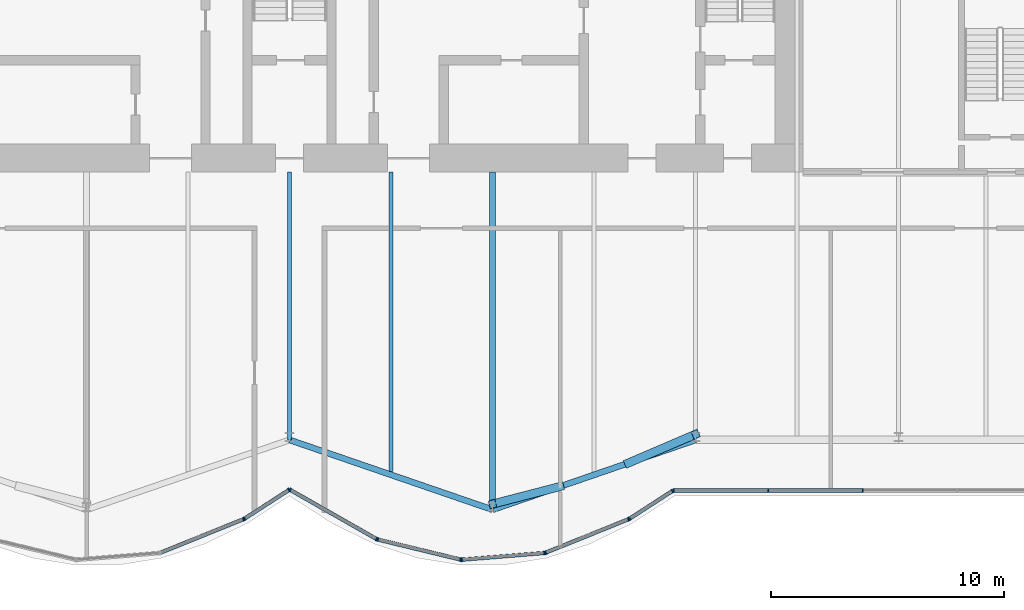
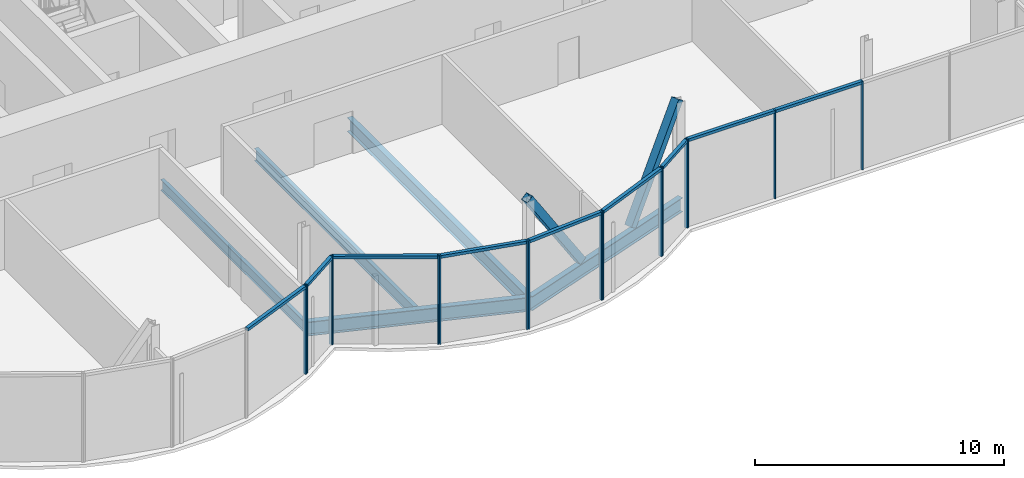
# One storey, part 8 of 18: 27 members, 5 beams, 3 elements without a shape of their own.
"""IFC4 building model written with IfcOpenShell, lengths in metres."""

from ifc_helpers import new_model, si_unit, direction, frame, origin, origin_2d, place, context, subcontext, project, spatial, rectangle, hollow_rectangle, i_section, extrude, material, material_profile, profile_set, type_object, element, aggregate, save


model = new_model("IFC4")

# Units and contexts
model_context = context("Model", 3, precision=1e-05, world=origin(), true_north=direction((0.0, 1.0)))
body_context = subcontext(model_context, "Body", "Model", "MODEL_VIEW")
ifc_project = project(units=[si_unit("LENGTHUNIT", "METRE"), si_unit("AREAUNIT", "SQUARE_METRE"), si_unit("VOLUMEUNIT", "CUBIC_METRE"), si_unit("PLANEANGLEUNIT", "RADIAN"), si_unit("MASSUNIT", "GRAM", prefix="KILO")], contexts=[model_context])

# Site, building, storey
site_placement = place(None, origin())
site = spatial("IfcSite", under=ifc_project, at=site_placement, CompositionType="ELEMENT")
building_placement = place(site_placement, origin())
building = spatial("IfcBuilding", under=site, at=building_placement, Name="Bicima Exchange Tower", CompositionType="ELEMENT")
storey_placement = place(building_placement, frame((0.0, 0.0, 302.0)))
storey = spatial("IfcBuildingStorey", under=building, at=storey_placement, Name="L68", CompositionType="ELEMENT", Elevation=302.0)

# Beams
ifc_material_1 = material(Name="Steel ASTM A992 Gr 50", Category="steel")
ifc_material_profile_1 = material_profile(ifc_material_1, i_section(OverallWidth=0.165771484375, OverallDepth=0.5283203125, WebThickness=0.009765625, FlangeThickness=0.013671875, at=origin_2d()))
ifc_profile_set_1 = profile_set([ifc_material_profile_1], Name="Steel ASTM A992 Gr 50")
beam_type_1 = type_object("IfcBeamType", Name="Floor beam W21x50", PredefinedType="JOIST", material=ifc_profile_set_1)
beam_1_placement = place(storey_placement, frame((0.0, -13.0, -0.414306640625), z_axis=(0.0, -1.0, 0.0), x_axis=(1.0, 0.0, 0.0)))
element("IfcBeam", 1, at=beam_1_placement, inside=storey, type_object=beam_type_1, Name="Floor beam", PredefinedType="JOIST", context=body_context, shape_type="SweptSolid", body=[
    extrude(i_section(OverallWidth=0.165771484375, OverallDepth=0.5283203125, WebThickness=0.009765625, FlangeThickness=0.013671875, at=origin_2d()), origin(), (0.0, 0.0, 1.0), 11.471923828125),
])
ifc_material_profile_2 = material_profile(ifc_material_1, i_section(OverallWidth=0.177978515625, OverallDepth=0.599365234375, WebThickness=0.010009765625, FlangeThickness=0.012939453125, at=origin_2d()))
ifc_profile_set_2 = profile_set([ifc_material_profile_2], Name="Steel ASTM A992 Gr 50")
beam_type_2 = type_object("IfcBeamType", Name="Floor beam W24x55", PredefinedType="JOIST", material=ifc_profile_set_2)
beam_2_placement = place(storey_placement, frame((4.35009765625, -13.0, -0.44970703125), z_axis=(0.0, -1.0, 0.0), x_axis=(1.0, 0.0, 0.0)))
element("IfcBeam", 2, at=beam_2_placement, inside=storey, type_object=beam_type_2, Name="Floor beam", PredefinedType="JOIST", context=body_context, shape_type="SweptSolid", body=[
    extrude(i_section(OverallWidth=0.177978515625, OverallDepth=0.599365234375, WebThickness=0.010009765625, FlangeThickness=0.012939453125, at=origin_2d()), origin(), (0.0, 0.0, 1.0), 12.831787109375),
])
ifc_material_profile_3 = material_profile(ifc_material_1, i_section(OverallWidth=0.25390625, OverallDepth=0.67822265625, WebThickness=0.01171875, FlangeThickness=0.016357421875, at=origin_2d()))
ifc_profile_set_3 = profile_set([ifc_material_profile_3], Name="Steel ASTM A992 Gr 50")
beam_type_3 = type_object("IfcBeamType", Name="Floor beam W27x84", PredefinedType="JOIST", material=ifc_profile_set_3)
beam_3_placement = place(storey_placement, frame((8.699951171875, -13.0, -0.489013671875), z_axis=(0.0, -1.0, 0.0), x_axis=(1.0, 0.0, 0.0)))
element("IfcBeam", 3, at=beam_3_placement, inside=storey, type_object=beam_type_3, Name="Floor beam", PredefinedType="JOIST", context=body_context, shape_type="SweptSolid", body=[
    extrude(i_section(OverallWidth=0.25390625, OverallDepth=0.67822265625, WebThickness=0.01171875, FlangeThickness=0.016357421875, at=origin_2d()), origin(), (0.0, 0.0, 1.0), 14.327392578125),
])
ifc_material_profile_4 = material_profile(ifc_material_1, i_section(OverallWidth=0.256591796875, OverallDepth=0.693359375, WebThickness=0.014404296875, FlangeThickness=0.023681640625, at=origin_2d()))
ifc_profile_set_4 = profile_set([ifc_material_profile_4], Name="Steel ASTM A992 Gr 50")
beam_type_4 = type_object("IfcBeamType", Name="Front girder W27x114", PredefinedType="BEAM", material=ifc_profile_set_4)
for number, where, z_axis, x_axis, name in (
    (4, (0.0, -24.471923828125, -0.49658203125), (0.945666456746, -0.325138359143, 0.0), (0.325138359143, 0.945666456746, 0.0), "Front girder"),
    (5, (8.699951171875, -27.463134765625, -0.49658203125), (0.945666456746, 0.325138359143, 0.0), (-0.325138359143, 0.945666456746, 0.0), "Front girder"),
):
    element("IfcBeam", number, at=place(storey_placement, frame(where, z_axis=z_axis, x_axis=x_axis)), inside=storey, type_object=beam_type_4, Name=name, PredefinedType="BEAM", context=body_context, shape_type="SweptSolid", body=[
        extrude(i_section(OverallWidth=0.256591796875, OverallDepth=0.693359375, WebThickness=0.014404296875, FlangeThickness=0.023681640625, at=origin_2d()), origin(), (0.0, 0.0, 1.0), 9.19970703125),
    ])

# Curtain wall, members
ifc_material_2 = material(Name="Anodised bronze aluminium", Category="aluminium")
curtain_wall_type = type_object("IfcCurtainWallType", Name="Front glass wall", PredefinedType="NOTDEFINED", material=ifc_material_2)
curtain_wall_1_placement = place(storey_placement, origin())
curtain_wall_1 = element("IfcCurtainWall", 6, at=curtain_wall_1_placement, inside=storey, type_object=curtain_wall_type, Name="Front glass wall L68 run 6", PredefinedType="NOTDEFINED")
ifc_material_profile_5 = material_profile(ifc_material_2, rectangle(XDim=0.159912109375, YDim=0.06005859375, at=origin_2d()))
ifc_profile_set_5 = profile_set([ifc_material_profile_5], Name="Anodised bronze aluminium")
member_type_1 = type_object("IfcMemberType", Name="Front glass wall mullion 60 x 160", PredefinedType="MULLION", material=ifc_profile_set_5)
member_1_placement = place(storey_placement, frame((-1.97412109375, -27.86767578125, 0.0), z_axis=(0.0, 0.0, 1.0), x_axis=(-0.374705304, 0.92714396679, 0.0)))
member_1 = element("IfcMember", 7, at=member_1_placement, type_object=member_type_1, Name="Front glass wall mullion 2", PredefinedType="MULLION", context=body_context, shape_type="SweptSolid", body=[
    extrude(rectangle(XDim=0.159912109375, YDim=0.06005859375, at=origin_2d()), origin(), (0.0, 0.0, 1.0), 4.35009765625),
])
member_2_placement = place(storey_placement, frame((-1.921142578125, -27.840087890625, 0.0), z_axis=(0.0, 0.0, 1.0), x_axis=(-0.542897457326, 0.839798994301, 0.0)))
member_2 = element("IfcMember", 8, at=member_2_placement, type_object=member_type_1, Name="Front glass wall mullion 1", PredefinedType="MULLION", context=body_context, shape_type="SweptSolid", body=[
    extrude(rectangle(XDim=0.159912109375, YDim=0.06005859375, at=origin_2d()), origin(), (0.0, 0.0, 1.0), 4.35009765625),
])
member_3_placement = place(storey_placement, frame((-0.025146484375, -26.614501953125, 0.0), z_axis=(0.0, 0.0, 1.0), x_axis=(-0.542897457326, 0.839798994301, 0.0)))
member_3 = element("IfcMember", 9, at=member_3_placement, type_object=member_type_1, Name="Front glass wall mullion 2", PredefinedType="MULLION", context=body_context, shape_type="SweptSolid", body=[
    extrude(rectangle(XDim=0.159912109375, YDim=0.06005859375, at=origin_2d()), origin(), (0.0, 0.0, 1.0), 4.35009765625),
])

curtain_wall_2_placement = place(storey_placement, origin())
curtain_wall_2 = element("IfcCurtainWall", 10, at=curtain_wall_2_placement, inside=storey, type_object=curtain_wall_type, Name="Front glass wall L68 run 11", PredefinedType="NOTDEFINED")
member_4_placement = place(storey_placement, frame((0.026123046875, -26.613037109375, 0.0), z_axis=(0.0, 0.0, 1.0), x_axis=(0.494330311331, 0.869274147378, 0.0)))
member_4 = element("IfcMember", 11, at=member_4_placement, type_object=member_type_1, Name="Front glass wall mullion 1", PredefinedType="MULLION", context=body_context, shape_type="SweptSolid", body=[
    extrude(rectangle(XDim=0.159912109375, YDim=0.06005859375, at=origin_2d()), origin(), (0.0, 0.0, 1.0), 4.35009765625),
])
member_5_placement = place(storey_placement, frame((3.7265625, -28.71728515625, 0.0), z_axis=(0.0, 0.0, 1.0), x_axis=(0.494330311331, 0.869274147378, 0.0)))
member_5 = element("IfcMember", 12, at=member_5_placement, type_object=member_type_1, Name="Front glass wall mullion 2", PredefinedType="MULLION", context=body_context, shape_type="SweptSolid", body=[
    extrude(rectangle(XDim=0.159912109375, YDim=0.06005859375, at=origin_2d()), origin(), (0.0, 0.0, 1.0), 4.35009765625),
])
member_6_placement = place(storey_placement, frame((3.781982421875, -28.7392578125, 0.0), z_axis=(0.0, 0.0, 1.0), x_axis=(0.235681529503, 0.971830343553, 0.0)))
member_6 = element("IfcMember", 13, at=member_6_placement, type_object=member_type_1, Name="Front glass wall mullion 1", PredefinedType="MULLION", context=body_context, shape_type="SweptSolid", body=[
    extrude(rectangle(XDim=0.159912109375, YDim=0.06005859375, at=origin_2d()), origin(), (0.0, 0.0, 1.0), 4.35009765625),
])
member_7_placement = place(storey_placement, frame((7.322509765625, -29.597900390625, 0.0), z_axis=(0.0, 0.0, 1.0), x_axis=(0.235681529503, 0.971830343553, 0.0)))
member_7 = element("IfcMember", 14, at=member_7_placement, type_object=member_type_1, Name="Front glass wall mullion 2", PredefinedType="MULLION", context=body_context, shape_type="SweptSolid", body=[
    extrude(rectangle(XDim=0.159912109375, YDim=0.06005859375, at=origin_2d()), origin(), (0.0, 0.0, 1.0), 4.35009765625),
])
member_8_placement = place(storey_placement, frame((7.381591796875, -29.6025390625, 0.0), z_axis=(0.0, 0.0, 1.0), x_axis=(-0.080588612633, 0.99674744821, 0.0)))
member_8 = element("IfcMember", 15, at=member_8_placement, type_object=member_type_1, Name="Front glass wall mullion 1", PredefinedType="MULLION", context=body_context, shape_type="SweptSolid", body=[
    extrude(rectangle(XDim=0.159912109375, YDim=0.06005859375, at=origin_2d()), origin(), (0.0, 0.0, 1.0), 4.35009765625),
])
member_9_placement = place(storey_placement, frame((10.916015625, -29.31689453125, 0.0), z_axis=(0.0, 0.0, 1.0), x_axis=(-0.080588612633, 0.99674744821, 0.0)))
member_9 = element("IfcMember", 16, at=member_9_placement, type_object=member_type_1, Name="Front glass wall mullion 2", PredefinedType="MULLION", context=body_context, shape_type="SweptSolid", body=[
    extrude(rectangle(XDim=0.159912109375, YDim=0.06005859375, at=origin_2d()), origin(), (0.0, 0.0, 1.0), 4.35009765625),
])
member_10_placement = place(storey_placement, frame((10.973876953125, -29.30322265625, 0.0), z_axis=(0.0, 0.0, 1.0), x_axis=(-0.374705304, 0.92714396679, 0.0)))
member_10 = element("IfcMember", 17, at=member_10_placement, type_object=member_type_1, Name="Front glass wall mullion 1", PredefinedType="MULLION", context=body_context, shape_type="SweptSolid", body=[
    extrude(rectangle(XDim=0.159912109375, YDim=0.06005859375, at=origin_2d()), origin(), (0.0, 0.0, 1.0), 4.35009765625),
])
member_11_placement = place(storey_placement, frame((14.52587890625, -27.86767578125, 0.0), z_axis=(0.0, 0.0, 1.0), x_axis=(-0.374705304, 0.92714396679, 0.0)))
member_11 = element("IfcMember", 18, at=member_11_placement, type_object=member_type_1, Name="Front glass wall mullion 2", PredefinedType="MULLION", context=body_context, shape_type="SweptSolid", body=[
    extrude(rectangle(XDim=0.159912109375, YDim=0.06005859375, at=origin_2d()), origin(), (0.0, 0.0, 1.0), 4.35009765625),
])
member_12_placement = place(storey_placement, frame((14.578857421875, -27.840087890625, 0.0), z_axis=(0.0, 0.0, 1.0), x_axis=(-0.542909183079, 0.839791413941, 0.0)))
member_12 = element("IfcMember", 19, at=member_12_placement, type_object=member_type_1, Name="Front glass wall mullion 1", PredefinedType="MULLION", context=body_context, shape_type="SweptSolid", body=[
    extrude(rectangle(XDim=0.159912109375, YDim=0.06005859375, at=origin_2d()), origin(), (0.0, 0.0, 1.0), 4.35009765625),
])
member_13_placement = place(storey_placement, frame((16.406982421875, -26.658203125, 0.0), z_axis=(0.0, 0.0, 1.0), x_axis=(-0.542909183079, 0.839791413941, 0.0)))
member_13 = element("IfcMember", 20, at=member_13_placement, type_object=member_type_1, Name="Front glass wall mullion 2", PredefinedType="MULLION", context=body_context, shape_type="SweptSolid", body=[
    extrude(rectangle(XDim=0.159912109375, YDim=0.06005859375, at=origin_2d()), origin(), (0.0, 0.0, 1.0), 4.35009765625),
])

curtain_wall_3_placement = place(storey_placement, origin())
curtain_wall_3 = element("IfcCurtainWall", 21, at=curtain_wall_3_placement, inside=storey, type_object=curtain_wall_type, Name="Front glass wall L68 run 16", PredefinedType="NOTDEFINED")
member_14_placement = place(storey_placement, frame((16.462158203125, -26.64208984375, 0.0), z_axis=(0.0, 0.0, 1.0), x_axis=(0.0, 1.0, 0.0)))
member_14 = element("IfcMember", 22, at=member_14_placement, type_object=member_type_1, Name="Front glass wall mullion 1", PredefinedType="MULLION", context=body_context, shape_type="SweptSolid", body=[
    extrude(rectangle(XDim=0.159912109375, YDim=0.06005859375, at=origin_2d()), origin(), (0.0, 0.0, 1.0), 4.35009765625),
])
member_15_placement = place(storey_placement, frame((20.51171875, -26.64208984375, 0.0), z_axis=(0.0, 0.0, 1.0), x_axis=(0.0, 1.0, 0.0)))
member_15 = element("IfcMember", 23, at=member_15_placement, type_object=member_type_1, Name="Front glass wall mullion 2", PredefinedType="MULLION", context=body_context, shape_type="SweptSolid", body=[
    extrude(rectangle(XDim=0.159912109375, YDim=0.06005859375, at=origin_2d()), origin(), (0.0, 0.0, 1.0), 4.35009765625),
])
member_16_placement = place(storey_placement, frame((24.56103515625, -26.64208984375, 0.0), z_axis=(0.0, 0.0, 1.0), x_axis=(0.0, 1.0, 0.0)))
member_16 = element("IfcMember", 24, at=member_16_placement, type_object=member_type_1, Name="Front glass wall mullion 3", PredefinedType="MULLION", context=body_context, shape_type="SweptSolid", body=[
    extrude(rectangle(XDim=0.159912109375, YDim=0.06005859375, at=origin_2d()), origin(), (0.0, 0.0, 1.0), 4.35009765625),
])

# Member
ifc_material_profile_6 = material_profile(ifc_material_2, rectangle(XDim=0.159912109375, YDim=0.139892578125, at=origin_2d()))
ifc_profile_set_6 = profile_set([ifc_material_profile_6], Name="Anodised bronze aluminium")
member_type_2 = type_object("IfcMemberType", Name="Front glass wall transom 140 x 160", PredefinedType="USERDEFINED", material=ifc_profile_set_6)
member_17_placement = place(storey_placement, frame((-5.498291015625, -29.2919921875, 4.280029296875), z_axis=(0.927140215882, 0.374714584842, 0.0), x_axis=(-0.374714584842, 0.927140215882, 0.0)))
member_17 = element("IfcMember", 25, at=member_17_placement, type_object=member_type_2, Name="Front glass wall transom 1.1", ObjectType="TRANSOM", PredefinedType="USERDEFINED", context=body_context, shape_type="SweptSolid", body=[
    extrude(rectangle(XDim=0.159912109375, YDim=0.139892578125, at=origin_2d()), origin(), (0.0, 0.0, 1.0), 3.77099609375),
])

member_18_placement = place(storey_placement, frame((-1.89599609375, -27.82373046875, 4.280029296875), z_axis=(0.839811483481, 0.542878137536, 0.0), x_axis=(-0.542878137536, 0.839811483481, 0.0)))
member_18 = element("IfcMember", 26, at=member_18_placement, type_object=member_type_2, Name="Front glass wall transom 1.1", ObjectType="TRANSOM", PredefinedType="USERDEFINED", context=body_context, shape_type="SweptSolid", body=[
    extrude(rectangle(XDim=0.159912109375, YDim=0.139892578125, at=origin_2d()), origin(), (0.0, 0.0, 1.0), 2.19775390625),
])

aggregate(curtain_wall_1, [member_1, member_17, member_2, member_3, member_18])

member_19_placement = place(storey_placement, frame((0.05224609375, -26.627685546875, 4.280029296875), z_axis=(0.869265121745, -0.494346182466, 0.0), x_axis=(0.494346182466, 0.869265121745, 0.0)))
member_19 = element("IfcMember", 27, at=member_19_placement, type_object=member_type_2, Name="Front glass wall transom 1.1", ObjectType="TRANSOM", PredefinedType="USERDEFINED", context=body_context, shape_type="SweptSolid", body=[
    extrude(rectangle(XDim=0.159912109375, YDim=0.139892578125, at=origin_2d()), origin(), (0.0, 0.0, 1.0), 4.19677734375),
])

member_20_placement = place(storey_placement, frame((3.81103515625, -28.746337890625, 4.280029296875), z_axis=(0.971833557815, -0.235668275132, 0.0), x_axis=(0.235668275132, 0.971833557815, 0.0)))
member_20 = element("IfcMember", 28, at=member_20_placement, type_object=member_type_2, Name="Front glass wall transom 1.1", ObjectType="TRANSOM", PredefinedType="USERDEFINED", context=body_context, shape_type="SweptSolid", body=[
    extrude(rectangle(XDim=0.159912109375, YDim=0.139892578125, at=origin_2d()), origin(), (0.0, 0.0, 1.0), 3.583251953125),
])

member_21_placement = place(storey_placement, frame((7.41162109375, -29.60009765625, 4.280029296875), z_axis=(0.9967456465, 0.080610893699, 0.0), x_axis=(-0.080610893699, 0.9967456465, 0.0)))
member_21 = element("IfcMember", 29, at=member_21_placement, type_object=member_type_2, Name="Front glass wall transom 1.1", ObjectType="TRANSOM", PredefinedType="USERDEFINED", context=body_context, shape_type="SweptSolid", body=[
    extrude(rectangle(XDim=0.159912109375, YDim=0.139892578125, at=origin_2d()), origin(), (0.0, 0.0, 1.0), 3.48583984375),
])

member_22_placement = place(storey_placement, frame((11.001708984375, -29.2919921875, 4.280029296875), z_axis=(0.927140215882, 0.374714584842, 0.0), x_axis=(-0.374714584842, 0.927140215882, 0.0)))
member_22 = element("IfcMember", 30, at=member_22_placement, type_object=member_type_2, Name="Front glass wall transom 1.1", ObjectType="TRANSOM", PredefinedType="USERDEFINED", context=body_context, shape_type="SweptSolid", body=[
    extrude(rectangle(XDim=0.159912109375, YDim=0.139892578125, at=origin_2d()), origin(), (0.0, 0.0, 1.0), 3.77099609375),
])

member_23_placement = place(storey_placement, frame((14.60400390625, -27.82373046875, 4.280029296875), z_axis=(0.839792890287, 0.542906899407, 0.0), x_axis=(-0.542906899407, 0.839792890287, 0.0)))
member_23 = element("IfcMember", 31, at=member_23_placement, type_object=member_type_2, Name="Front glass wall transom 1.1", ObjectType="TRANSOM", PredefinedType="USERDEFINED", context=body_context, shape_type="SweptSolid", body=[
    extrude(rectangle(XDim=0.159912109375, YDim=0.139892578125, at=origin_2d()), origin(), (0.0, 0.0, 1.0), 2.11669921875),
])

aggregate(curtain_wall_2, [member_4, member_5, member_19, member_6, member_7, member_20, member_8, member_9, member_21, member_10, member_11, member_22, member_12, member_13, member_23])

member_24_placement = place(storey_placement, frame((16.4921875, -26.64208984375, 4.280029296875), z_axis=(1.0, 0.0, 0.0), x_axis=(0.0, 1.0, 0.0)))
member_24 = element("IfcMember", 32, at=member_24_placement, type_object=member_type_2, Name="Front glass wall transom 1.1", ObjectType="TRANSOM", PredefinedType="USERDEFINED", context=body_context, shape_type="SweptSolid", body=[
    extrude(rectangle(XDim=0.159912109375, YDim=0.139892578125, at=origin_2d()), origin(), (0.0, 0.0, 1.0), 3.989501953125),
])

member_25_placement = place(storey_placement, frame((20.54150390625, -26.64208984375, 4.280029296875), z_axis=(1.0, 0.0, 0.0), x_axis=(0.0, 1.0, 0.0)))
member_25 = element("IfcMember", 33, at=member_25_placement, type_object=member_type_2, Name="Front glass wall transom 2.1", ObjectType="TRANSOM", PredefinedType="USERDEFINED", context=body_context, shape_type="SweptSolid", body=[
    extrude(rectangle(XDim=0.159912109375, YDim=0.139892578125, at=origin_2d()), origin(), (0.0, 0.0, 1.0), 3.989501953125),
])

aggregate(curtain_wall_3, [member_14, member_15, member_16, member_24, member_25])

# Members
ifc_material_3 = material(Name="Steel ASTM A572 Gr 50", Category="steel")
ifc_material_profile_7 = material_profile(ifc_material_3, hollow_rectangle(XDim=0.355712890625, YDim=0.355712890625, WallThickness=0.01171875, at=origin_2d()))
ifc_profile_set_7 = profile_set([ifc_material_profile_7], Name="Steel ASTM A572 Gr 50")
member_type_3 = type_object("IfcMemberType", Name="Mega brace HSS14x14x1/2", PredefinedType="BRACE", material=ifc_profile_set_7)
member_26_placement = place(storey_placement, frame((14.5, -25.468994140625, 0.0), z_axis=(0.527696221197, 0.225819152412, 0.818866538905), x_axis=(-0.393424148395, 0.919357079409, 0.0)))
element("IfcMember", 34, at=member_26_placement, inside=storey, type_object=member_type_3, Name="Mega brace front", PredefinedType="BRACE", context=body_context, shape_type="SweptSolid", body=[
    extrude(hollow_rectangle(XDim=0.355712890625, YDim=0.355712890625, WallThickness=0.01171875, at=origin_2d()), origin(), (0.0, 0.0, 1.0), 5.495361328125),
])
member_27_placement = place(storey_placement, frame((11.60009765625, -26.466064453125, 0.0), z_axis=(-0.536441319388, -0.139269722114, 0.832366899483), x_axis=(0.251287335414, -0.967912534819, 0.0)))
element("IfcMember", 35, at=member_27_placement, inside=storey, type_object=member_type_3, Name="Mega brace front", PredefinedType="BRACE", context=body_context, shape_type="SweptSolid", body=[
    extrude(hollow_rectangle(XDim=0.355712890625, YDim=0.355712890625, WallThickness=0.01171875, at=origin_2d()), origin(), (0.0, 0.0, 1.0), 5.40625),
])

save(model, "model.ifc")
